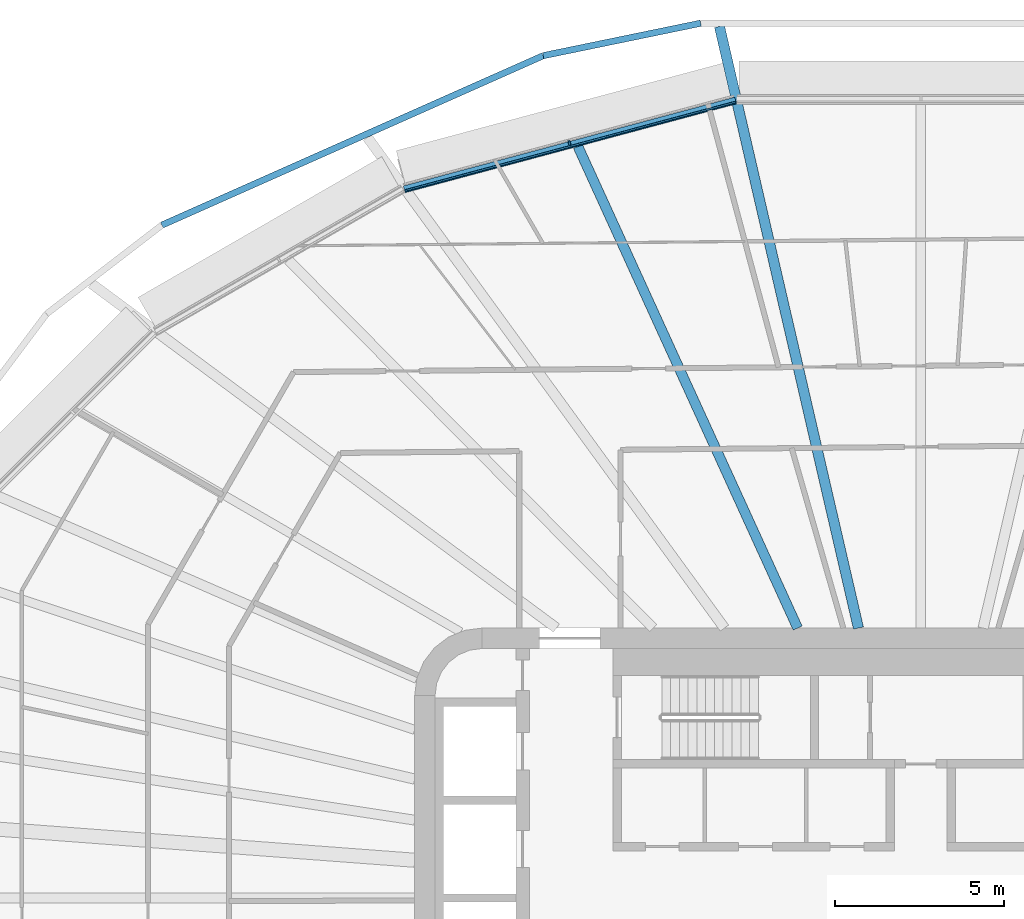
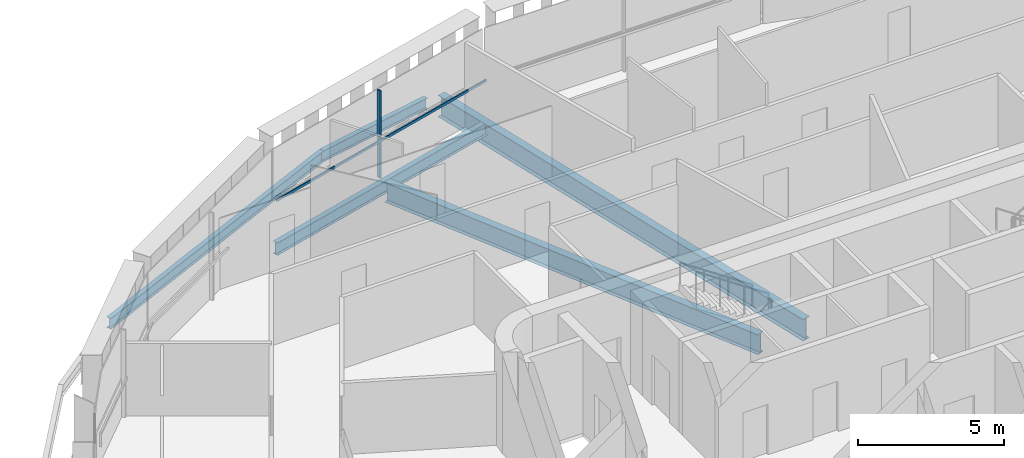
# One storey, part 8 of 26: 5 beams, 2 members, 1 element without a shape of its own.
"""IFC4 building model written with IfcOpenShell, lengths in metres."""

from ifc_helpers import new_model, si_unit, direction, frame, origin, origin_2d, place, context, subcontext, project, spatial, rectangle, i_section, extrude, material, layer, layer_set, material_profile, profile_set, type_object, element, aggregate, save


model = new_model("IFC4")

# Units and contexts
model_context = context("Model", 3, precision=1e-05, world=origin(), true_north=direction((0.0, 1.0)))
body_context = subcontext(model_context, "Body", "Model", "MODEL_VIEW")
ifc_project = project(units=[si_unit("LENGTHUNIT", "METRE"), si_unit("AREAUNIT", "SQUARE_METRE"), si_unit("VOLUMEUNIT", "CUBIC_METRE"), si_unit("PLANEANGLEUNIT", "RADIAN"), si_unit("MASSUNIT", "GRAM", prefix="KILO")], contexts=[model_context])

# Site, building, storey
site_placement = place(None, origin())
site = spatial("IfcSite", under=ifc_project, at=site_placement, CompositionType="ELEMENT")
building_placement = place(site_placement, origin())
building = spatial("IfcBuilding", under=site, at=building_placement, Name="Sahrelin Media Tower", CompositionType="ELEMENT")
storey_placement = place(building_placement, frame((0.0, 0.0, 92.39990234375)))
storey = spatial("IfcBuildingStorey", under=building, at=storey_placement, Name="L17", CompositionType="ELEMENT", Elevation=92.39990234375)

# Beam
ifc_material_1 = material(Name="Steel S355", Category="steel")
ifc_material_profile_1 = material_profile(ifc_material_1, i_section(OverallWidth=0.208740234375, OverallDepth=0.5283203125, WebThickness=0.009521484375, FlangeThickness=0.01318359375, FilletRadius=0.0126953125, at=origin_2d()), Name="UB 533x210x82")
ifc_profile_set_1 = profile_set([ifc_material_profile_1], Name="Steel S355")
beam_type_1 = type_object("IfcBeamType", Name="Edge beam EB6", PredefinedType="BEAM", material=ifc_profile_set_1)
beam_1_placement = place(storey_placement, frame((-15.306396484375, 21.001708984375, -0.4140625), z_axis=(0.965923284876, 0.258828529599, 0.0), x_axis=(-0.258828529599, 0.965923284876, 0.0)))
element("IfcBeam", 1, at=beam_1_placement, inside=storey, type_object=beam_type_1, Name="Edge beam L17-18", PredefinedType="BEAM", context=body_context, shape_type="SweptSolid", body=[
    extrude(i_section(OverallWidth=0.208740234375, OverallDepth=0.5283203125, WebThickness=0.009521484375, FlangeThickness=0.01318359375, FilletRadius=0.0126953125, at=origin_2d()), origin(), (0.0, 0.0, 1.0), 10.16455078125),
])

# Curtain wall, member
ifc_material_2 = material(Name="Champagne anodised aluminium 6063-T6", Category="aluminium")
ifc_layer = layer(ifc_material_2, 0.14990234375)
ifc_layer_set = layer_set([ifc_layer], Name="Tower ribbon curtain wall")
curtain_wall_type = type_object("IfcCurtainWallType", Name="Tower ribbon curtain wall", PredefinedType="NOTDEFINED", material=ifc_layer_set)
curtain_wall_placement = place(storey_placement, frame((-10.436279296875, 22.462158203125, 0.0), z_axis=(0.0, 0.0, 1.0), x_axis=(1.0, 0.0, 0.0)))
curtain_wall = element("IfcCurtainWall", 2, at=curtain_wall_placement, inside=storey, type_object=curtain_wall_type, Name="L17:CW:L17-07", PredefinedType="NOTDEFINED")
ifc_material_profile_2 = material_profile(ifc_material_2, rectangle(XDim=0.06005859375, YDim=0.14990234375, at=origin_2d()), Name="Mullion 60x150")
ifc_profile_set_2 = profile_set([ifc_material_profile_2], Name="Champagne anodised aluminium 6063-T6")
member_type_1 = type_object("IfcMemberType", Name="Mullion 60x150 CW1", PredefinedType="MULLION", material=ifc_profile_set_2)
member_1_placement = place(storey_placement, frame((-10.41162109375, 22.370361328125, 0.0), z_axis=(0.0, 0.0, 1.0), x_axis=(-0.965926278012, -0.258817359244, 0.0)))
member_1 = element("IfcMember", 3, at=member_1_placement, type_object=member_type_1, Name="L17:CWM:L17-07", PredefinedType="MULLION", context=body_context, shape_type="SweptSolid", body=[
    extrude(rectangle(XDim=0.06005859375, YDim=0.14990234375, at=origin_2d()), origin(), (0.0, 0.0, 1.0), 3.648681640625),
])

# Beams
ifc_material_profile_3 = material_profile(ifc_material_1, i_section(OverallWidth=0.30322265625, OverallDepth=0.903076171875, WebThickness=0.01513671875, FlangeThickness=0.020263671875, FilletRadius=0.01904296875, at=origin_2d()), Name="UB 914x305x201")
ifc_profile_set_3 = profile_set([ifc_material_profile_3], Name="Steel S355")
beam_type_2 = type_object("IfcBeamType", Name="Radial primary beam PB11", PredefinedType="BEAM", material=ifc_profile_set_3)
beam_2_placement = place(storey_placement, frame((-1.847900390625, 8.0, -0.601318359375), z_axis=(-0.225039759271, 0.974349581386, 0.0), x_axis=(-0.974349581386, -0.225039759271, 0.0)))
element("IfcBeam", 4, at=beam_2_placement, inside=storey, type_object=beam_type_2, Name="Radial beam L17-07", PredefinedType="BEAM", context=body_context, shape_type="SweptSolid", body=[
    extrude(i_section(OverallWidth=0.30322265625, OverallDepth=0.903076171875, WebThickness=0.01513671875, FlangeThickness=0.020263671875, FilletRadius=0.01904296875, at=origin_2d()), origin(), (0.0, 0.0, 1.0), 18.2998046875),
])
ifc_material_profile_4 = material_profile(ifc_material_1, i_section(OverallWidth=0.291748046875, OverallDepth=0.8349609375, WebThickness=0.013916015625, FlangeThickness=0.018798828125, FilletRadius=0.017822265625, at=origin_2d()), Name="UB 838x292x176")
ifc_profile_set_4 = profile_set([ifc_material_profile_4], Name="Steel S355")
beam_type_3 = type_object("IfcBeamType", Name="Radial secondary beam SB10", PredefinedType="BEAM", material=ifc_profile_set_4)
beam_3_placement = place(storey_placement, frame((-3.6494140625, 8.0, -0.5673828125), z_axis=(-0.415038402282, 0.909803893502, 0.0), x_axis=(-0.909803893502, -0.415038402282, 0.0)))
element("IfcBeam", 5, at=beam_3_placement, inside=storey, type_object=beam_type_3, Name="Secondary beam L17-07", PredefinedType="BEAM", context=body_context, shape_type="SweptSolid", body=[
    extrude(i_section(OverallWidth=0.291748046875, OverallDepth=0.8349609375, WebThickness=0.013916015625, FlangeThickness=0.018798828125, FilletRadius=0.017822265625, at=origin_2d()), origin(), (0.0, 0.0, 1.0), 15.687744140625),
])
ifc_material_profile_5 = material_profile(ifc_material_1, i_section(OverallWidth=0.1904296875, OverallDepth=0.45703125, WebThickness=0.009033203125, FlangeThickness=0.014404296875, FilletRadius=0.01025390625, at=origin_2d()), Name="UB 457x191x74")
ifc_profile_set_5 = profile_set([ifc_material_profile_5], Name="Steel S355")
beam_type_4 = type_object("IfcBeamType", Name="Tie chord TC5", PredefinedType="BEAM", material=ifc_profile_set_5)
beam_4_placement = place(storey_placement, frame((-6.52392578125, 25.925537109375, -0.37841796875), z_axis=(-0.979386751897, -0.201994035084, 0.0), x_axis=(0.201994035084, -0.979386751897, 0.0)))
element("IfcBeam", 6, at=beam_4_placement, inside=storey, type_object=beam_type_4, Name="Tie chord L17-07", PredefinedType="BEAM", context=body_context, shape_type="SweptSolid", body=[
    extrude(i_section(OverallWidth=0.1904296875, OverallDepth=0.45703125, WebThickness=0.009033203125, FlangeThickness=0.014404296875, FilletRadius=0.01025390625, at=origin_2d()), origin(), (0.0, 0.0, 1.0), 4.765625),
])
beam_5_placement = place(storey_placement, frame((-11.19140625, 24.962890625, -0.37841796875), z_axis=(-0.913831088012, -0.406094499573, 0.0), x_axis=(0.406094499573, -0.913831088012, 0.0)))
element("IfcBeam", 7, at=beam_5_placement, inside=storey, type_object=beam_type_4, Name="Tie chord L17-08", PredefinedType="BEAM", context=body_context, shape_type="SweptSolid", body=[
    extrude(i_section(OverallWidth=0.1904296875, OverallDepth=0.45703125, WebThickness=0.009033203125, FlangeThickness=0.014404296875, FilletRadius=0.01025390625, at=origin_2d()), origin(), (0.0, 0.0, 1.0), 12.365234375),
])

# Member
ifc_material_profile_6 = material_profile(ifc_material_2, rectangle(XDim=0.050048828125, YDim=0.10009765625, at=origin_2d()), Name="Transom 50x100")
ifc_profile_set_6 = profile_set([ifc_material_profile_6], Name="Champagne anodised aluminium 6063-T6")
member_type_2 = type_object("IfcMemberType", Name="Transom 50x100 CW1", PredefinedType="USERDEFINED", material=ifc_profile_set_6)
member_2_placement = place(storey_placement, frame((-5.49169921875, 23.5849609375, 1.60009765625), z_axis=(-0.965927940896, -0.258811153154, 0.0), x_axis=(0.258811153154, -0.965927940896, 0.0)))
member_2 = element("IfcMember", 8, at=member_2_placement, type_object=member_type_2, Name="L17:CWT:L17-07", ObjectType="TRANSOM", PredefinedType="USERDEFINED", context=body_context, shape_type="SweptSolid", body=[
    extrude(rectangle(XDim=0.050048828125, YDim=0.10009765625, at=origin_2d()), origin(), (0.0, 0.0, 1.0), 10.133056640625),
])

aggregate(curtain_wall, [member_1, member_2])

save(model, "model.ifc")
